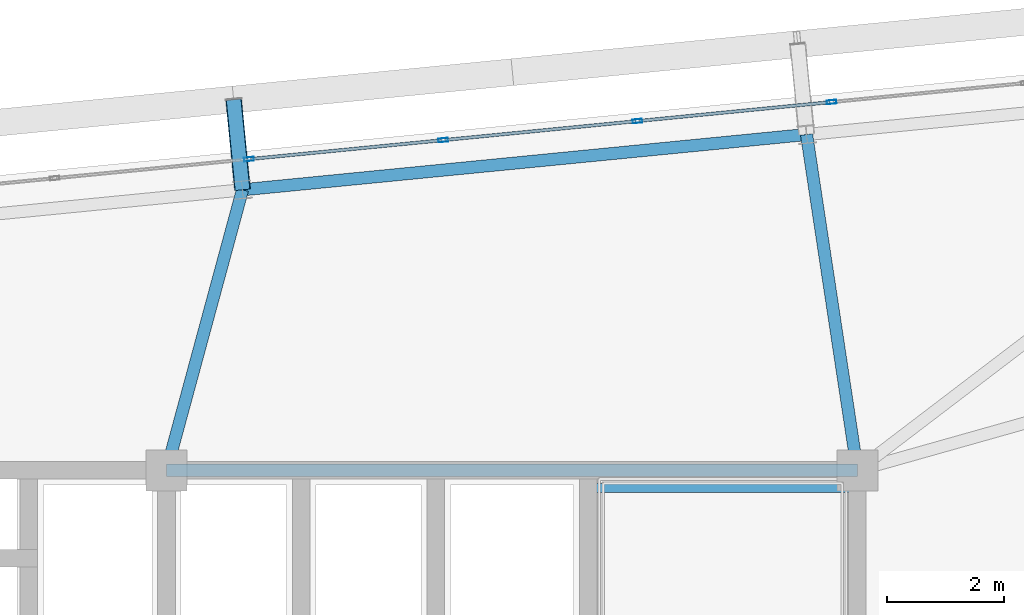
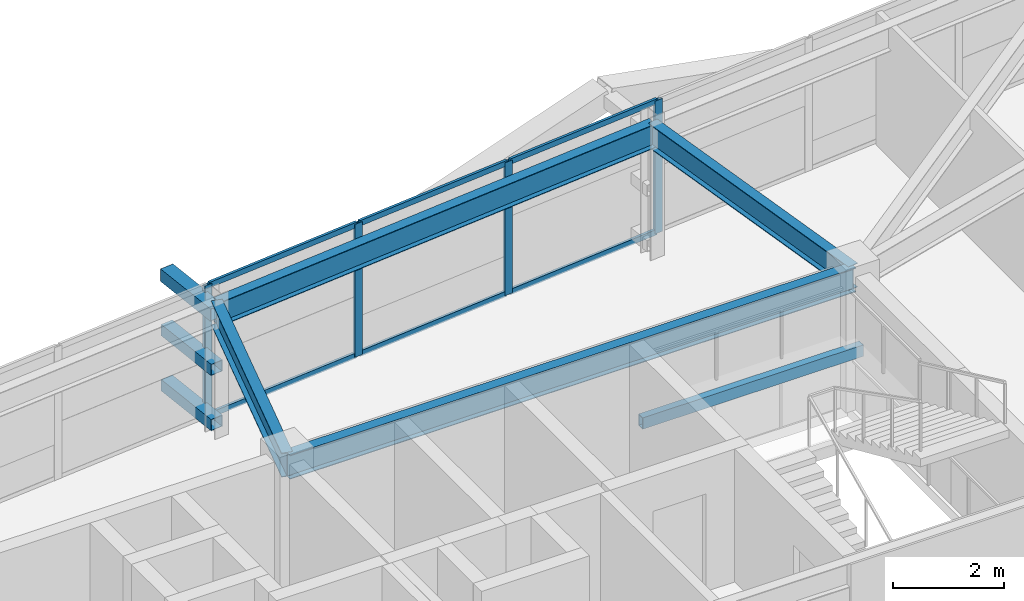
# One storey, part 31 of 52: 13 members, 5 beams, 1 element without a shape of its own.
"""IFC4 building model written with IfcOpenShell, lengths in metres."""

from ifc_helpers import new_model, si_unit, direction, frame, origin, origin_2d, place, context, subcontext, project, spatial, hollow_rectangle, i_section, extrude, source, transform, mapped, material, layer, layer_set, material_profile, profile_set, type_object, element, aggregate, save


model = new_model("IFC4")

# Units and contexts
model_context = context("Model", 3, precision=1e-05, world=origin(), true_north=direction((0.0, 1.0)))
body_context = subcontext(model_context, "Body", "Model", "MODEL_VIEW")
ifc_project = project(units=[si_unit("LENGTHUNIT", "METRE"), si_unit("AREAUNIT", "SQUARE_METRE"), si_unit("VOLUMEUNIT", "CUBIC_METRE"), si_unit("PLANEANGLEUNIT", "RADIAN"), si_unit("MASSUNIT", "GRAM", prefix="KILO")], contexts=[model_context])

# Site, building, storey
site_placement = place(None, origin())
site = spatial("IfcSite", under=ifc_project, at=site_placement, CompositionType="ELEMENT")
building_placement = place(site_placement, origin())
building = spatial("IfcBuilding", under=site, at=building_placement, Name="Taldren Reach Tower", CompositionType="ELEMENT")
storey_placement = place(building_placement, frame((0.0, 0.0, 77.699951171875)))
storey = spatial("IfcBuildingStorey", under=building, at=storey_placement, Name="L23", CompositionType="ELEMENT", Elevation=77.699951171875)

# Beam
ifc_material_1 = material(Name="Steel Gr 350 (350PLUS)", Category="steel")
ifc_material_profile_1 = material_profile(ifc_material_1, i_section(OverallWidth=0.208984375, OverallDepth=0.532958984375, WebThickness=0.01025390625, FlangeThickness=0.015625, at=origin_2d()), Name="530UB92.4")
ifc_profile_set_1 = profile_set([ifc_material_profile_1], Name="Steel Gr 350 (350PLUS)")
beam_type_1 = type_object("IfcBeamType", Name="BM-UB530A", PredefinedType="BEAM", material=ifc_profile_set_1)
shared_shape_1 = source(origin(), body_context, "Body", "SweptSolid", [
    extrude(i_section(OverallWidth=0.208984375, OverallDepth=0.532958984375, WebThickness=0.01025390625, FlangeThickness=0.015625, at=origin_2d()), origin(), (0.0, 0.0, 1.0), 11.800048828125),
])
beam_1_placement = place(storey_placement, frame((39.199951171875, 32.0, 2.66357421875), z_axis=(1.0, 0.0, 0.0), x_axis=(0.0, 1.0, 0.0)))
element("IfcBeam", 1, at=beam_1_placement, inside=storey, type_object=beam_type_1, Name="Core-spine girder L23-SP06", PredefinedType="BEAM", context=body_context, shape_type="MappedRepresentation", body=[
    mapped(shared_shape_1, transform((0.0, 0.0, 0.0), scale=1.0)),
])

# Members
ifc_material_2 = material(Name="Steel Gr 450 (C450L0)", Category="steel")
ifc_material_profile_2 = material_profile(ifc_material_2, hollow_rectangle(XDim=0.27490234375, YDim=0.27490234375, WallThickness=0.00927734375, at=origin_2d()), Name="275x275x9.3SHS")
ifc_profile_set_2 = profile_set([ifc_material_profile_2], Name="Steel Gr 450 (C450L0)")
member_type_1 = type_object("IfcMemberType", Name="MB-TIE273", PredefinedType="STRUT", material=ifc_profile_set_2)
shared_shape_2 = source(origin(), body_context, "Body", "SweptSolid", [
    extrude(hollow_rectangle(XDim=0.27490234375, YDim=0.27490234375, WallThickness=0.00927734375, at=origin_2d()), origin(), (0.0, 0.0, 1.0), 1.5498046875),
])
member_1_placement = place(storey_placement, frame((40.498291015625, 36.790771484375, 2.650146484375), z_axis=(-0.097663201064, 0.995219523099, 0.0), x_axis=(-0.995219523099, -0.097663201064, 0.0)))
element("IfcMember", 2, at=member_1_placement, inside=storey, type_object=member_type_1, Name="Exoskeleton diaphragm tie strut B2-N4 L23", PredefinedType="STRUT", context=body_context, shape_type="MappedRepresentation", body=[
    mapped(shared_shape_2, transform((0.0, 0.0, 0.0), scale=1.0)),
])
ifc_material_3 = material(Name="Steel Gr 350 (C350L0)", Category="steel")
ifc_material_profile_3 = material_profile(ifc_material_3, hollow_rectangle(XDim=0.25, YDim=0.25, WallThickness=0.010009765625, at=origin_2d()), Name="250x250x10.0SHS")
ifc_profile_set_3 = profile_set([ifc_material_profile_3], Name="Steel Gr 350 (C350L0)")
member_type_2 = type_object("IfcMemberType", Name="MB-POST250", PredefinedType="POST", material=ifc_profile_set_3)
shared_shape_3 = source(origin(), body_context, "Body", "SweptSolid", [
    extrude(hollow_rectangle(XDim=0.25, YDim=0.25, WallThickness=0.010009765625, at=origin_2d()), origin(), (0.0, 0.0, 1.0), 1.5498046875),
])
for number, where, z_axis, x_axis, name in (
    (3, (40.498291015625, 36.790771484375, 0.219970703125), (-0.097663201064, 0.995219523099, 0.0), (-0.995219523099, -0.097663201064, 0.0), "Exoskeleton base diaphragm tie strut B2-N4 L23"),
    (4, (40.498291015625, 36.790771484375, 1.43505859375), (-0.097663201064, 0.995219523099, 0.0), (-0.995219523099, -0.097663201064, 0.0), "Exoskeleton mid-tier diaphragm tie B2-N4 L23"),
):
    element("IfcMember", number, at=place(storey_placement, frame(where, z_axis=z_axis, x_axis=x_axis)), inside=storey, type_object=member_type_2, Name=name, PredefinedType="POST", context=body_context, shape_type="MappedRepresentation", body=[
        mapped(shared_shape_3, transform((0.0, 0.0, 0.0), scale=1.0)),
    ])

# Beams
ifc_material_profile_4 = material_profile(ifc_material_1, i_section(OverallWidth=0.208984375, OverallDepth=0.528076171875, WebThickness=0.009521484375, FlangeThickness=0.01318359375, at=origin_2d()), Name="530UB82.0")
ifc_profile_set_4 = profile_set([ifc_material_profile_4], Name="Steel Gr 350 (350PLUS)")
beam_type_2 = type_object("IfcBeamType", Name="SP-UB530B", PredefinedType="SPANDREL", material=ifc_profile_set_4)
shared_shape_4 = source(origin(), body_context, "Body", "SweptSolid", [
    extrude(i_section(OverallWidth=0.208984375, OverallDepth=0.528076171875, WebThickness=0.009521484375, FlangeThickness=0.01318359375, at=origin_2d()), origin(), (0.0, 0.0, 1.0), 9.679931640625),
])
beam_2_placement = place(storey_placement, frame((50.132080078125, 37.7353515625, 2.666015625), z_axis=(-0.995227612658, -0.097580730699, 0.0), x_axis=(0.097580730699, -0.995227612658, 0.0)))
element("IfcBeam", 5, at=beam_2_placement, inside=storey, type_object=beam_type_2, Name="Perimeter spandrel B2 N5-N4 L23", PredefinedType="SPANDREL", context=body_context, shape_type="MappedRepresentation", body=[
    mapped(shared_shape_4, transform((0.0, 0.0, 0.0), scale=1.0)),
])
shared_shape_5 = source(origin(), body_context, "Body", "SweptSolid", [
    extrude(i_section(OverallWidth=0.208984375, OverallDepth=0.532958984375, WebThickness=0.01025390625, FlangeThickness=0.015625, at=origin_2d()), origin(), (0.0, 0.0, 1.0), 5.800537109375),
])
beam_3_placement = place(storey_placement, frame((51.0, 32.0, 2.66357421875), z_axis=(-0.149624592867, 0.988742879221, 0.0), x_axis=(-0.988742879221, -0.149624592867, 0.0)))
element("IfcBeam", 6, at=beam_3_placement, inside=storey, type_object=beam_type_1, Name="Primary floor girder B2-N5 L23", PredefinedType="BEAM", context=body_context, shape_type="MappedRepresentation", body=[
    mapped(shared_shape_5, transform((0.0, 0.0, 0.0), scale=1.0)),
])
shared_shape_6 = source(origin(), body_context, "Body", "SweptSolid", [
    extrude(i_section(OverallWidth=0.208984375, OverallDepth=0.532958984375, WebThickness=0.01025390625, FlangeThickness=0.015625, at=origin_2d()), origin(), (0.0, 0.0, 1.0), 4.963623046875),
])
beam_4_placement = place(storey_placement, frame((39.199951171875, 32.0, 2.66357421875), z_axis=(0.261572995851, 0.965183696423, 0.0), x_axis=(-0.965183696423, 0.261572995851, 0.0)))
element("IfcBeam", 7, at=beam_4_placement, inside=storey, type_object=beam_type_1, Name="Primary floor girder B2-N4 L23", PredefinedType="BEAM", context=body_context, shape_type="MappedRepresentation", body=[
    mapped(shared_shape_6, transform((0.0, 0.0, 0.0), scale=1.0)),
])

# Curtain wall, members
ifc_material_4 = material(Name="Aluminium and Low-E Glass Unitised System", Category="aluminium")
ifc_layer = layer(ifc_material_4, 0.159912109375)
ifc_layer_set = layer_set([ifc_layer], Name="Aluminium and Low-E Glass Unitised System")
curtain_wall_type = type_object("IfcCurtainWallType", Name="CW-SYS-3", PredefinedType="NOTDEFINED", material=ifc_layer_set)
curtain_wall_placement = place(storey_placement, origin())
curtain_wall = element("IfcCurtainWall", 8, at=curtain_wall_placement, inside=storey, type_object=curtain_wall_type, Name="Unitised curtain wall CW-L23-N", PredefinedType="NOTDEFINED")
ifc_material_5 = material(Name="Anodised Aluminium 6063-T6", Category="aluminium")
ifc_material_profile_5 = material_profile(ifc_material_5, hollow_rectangle(XDim=0.06494140625, YDim=0.1650390625, WallThickness=0.00390625, at=origin_2d()), Name="ALU-165x65x4RHS")
ifc_profile_set_5 = profile_set([ifc_material_profile_5], Name="Anodised Aluminium 6063-T6")
member_type_3 = type_object("IfcMemberType", Name="CW-MUL-165", PredefinedType="MULLION", material=ifc_profile_set_5)
shared_shape_7 = source(origin(), body_context, "Body", "SweptSolid", [
    extrude(hollow_rectangle(XDim=0.06494140625, YDim=0.1650390625, WallThickness=0.00390625, at=origin_2d()), origin(), (0.0, 0.0, 1.0), 2.929931640625),
])
member_2_placement = place(storey_placement, frame((50.56005859375, 38.289794921875, 0.0), z_axis=(0.0, 0.0, 1.0), x_axis=(0.097582999046, -0.995227390247, 0.0)))
member_2 = element("IfcMember", 9, at=member_2_placement, type_object=member_type_3, Name="CW-3 mullion 4", PredefinedType="MULLION", context=body_context, shape_type="MappedRepresentation", body=[
    mapped(shared_shape_7, transform((0.0, 0.0, 0.0), scale=1.0)),
])
member_3_placement = place(storey_placement, frame((47.242431640625, 37.96435546875, 0.0), z_axis=(0.0, 0.0, 1.0), x_axis=(0.097582999046, -0.995227390247, 0.0)))
member_3 = element("IfcMember", 10, at=member_3_placement, type_object=member_type_3, Name="CW-3 mullion 5", PredefinedType="MULLION", context=body_context, shape_type="MappedRepresentation", body=[
    mapped(shared_shape_7, transform((0.0, 0.0, 0.0), scale=1.0)),
])
member_4_placement = place(storey_placement, frame((43.925048828125, 37.63916015625, 0.0), z_axis=(0.0, 0.0, 1.0), x_axis=(0.097582999046, -0.995227390247, 0.0)))
member_4 = element("IfcMember", 11, at=member_4_placement, type_object=member_type_3, Name="CW-3 mullion 6", PredefinedType="MULLION", context=body_context, shape_type="MappedRepresentation", body=[
    mapped(shared_shape_7, transform((0.0, 0.0, 0.0), scale=1.0)),
])
member_5_placement = place(storey_placement, frame((40.607666015625, 37.31396484375, 0.0), z_axis=(0.0, 0.0, 1.0), x_axis=(0.097582999046, -0.995227390247, 0.0)))
member_5 = element("IfcMember", 12, at=member_5_placement, type_object=member_type_3, Name="CW-3 mullion 7", PredefinedType="MULLION", context=body_context, shape_type="MappedRepresentation", body=[
    mapped(shared_shape_7, transform((0.0, 0.0, 0.0), scale=1.0)),
])
ifc_material_profile_6 = material_profile(ifc_material_5, hollow_rectangle(XDim=0.054931640625, YDim=0.1201171875, WallThickness=0.0029296875, at=origin_2d()), Name="ALU-120x55x3RHS")
ifc_profile_set_6 = profile_set([ifc_material_profile_6], Name="Anodised Aluminium 6063-T6")
member_type_4 = type_object("IfcMemberType", Name="CW-TRN-135", PredefinedType="USERDEFINED", material=ifc_profile_set_6)
shared_shape_8 = source(origin(), body_context, "Body", "SweptSolid", [
    extrude(hollow_rectangle(XDim=0.054931640625, YDim=0.1201171875, WallThickness=0.0029296875, at=origin_2d()), origin(), (0.0, 0.0, 1.0), 3.268310546875),
])
member_6_placement = place(storey_placement, frame((50.527587890625, 38.28662109375, 0.027587890625), z_axis=(-0.995222549564, -0.097632355496, 0.0), x_axis=(0.097632355496, -0.995222549564, 0.0)))
member_6 = element("IfcMember", 13, at=member_6_placement, type_object=member_type_4, Name="CW-3 transom 4.1", ObjectType="TRANSOM", PredefinedType="USERDEFINED", context=body_context, shape_type="MappedRepresentation", body=[
    mapped(shared_shape_8, transform((0.0, 0.0, 0.0), scale=1.0)),
])
member_7_placement = place(storey_placement, frame((50.527587890625, 38.28662109375, 2.902587890625), z_axis=(-0.995222549564, -0.097632355496, 0.0), x_axis=(0.097632355496, -0.995222549564, 0.0)))
member_7 = element("IfcMember", 14, at=member_7_placement, type_object=member_type_4, Name="CW-3 transom 4.2", ObjectType="TRANSOM", PredefinedType="USERDEFINED", context=body_context, shape_type="MappedRepresentation", body=[
    mapped(shared_shape_8, transform((0.0, 0.0, 0.0), scale=1.0)),
])
member_8_placement = place(storey_placement, frame((47.210205078125, 37.961181640625, 0.027587890625), z_axis=(-0.99522980512, -0.097558367146, 0.0), x_axis=(0.097558367146, -0.99522980512, 0.0)))
member_8 = element("IfcMember", 15, at=member_8_placement, type_object=member_type_4, Name="CW-3 transom 5.1", ObjectType="TRANSOM", PredefinedType="USERDEFINED", context=body_context, shape_type="MappedRepresentation", body=[
    mapped(shared_shape_8, transform((0.0, 0.0, 0.0), scale=1.0)),
])
member_9_placement = place(storey_placement, frame((47.210205078125, 37.961181640625, 2.902587890625), z_axis=(-0.99522980512, -0.097558367146, 0.0), x_axis=(0.097558367146, -0.99522980512, 0.0)))
member_9 = element("IfcMember", 16, at=member_9_placement, type_object=member_type_4, Name="CW-3 transom 5.2", ObjectType="TRANSOM", PredefinedType="USERDEFINED", context=body_context, shape_type="MappedRepresentation", body=[
    mapped(shared_shape_8, transform((0.0, 0.0, 0.0), scale=1.0)),
])
member_10_placement = place(storey_placement, frame((43.892822265625, 37.635986328125, 0.027587890625), z_axis=(-0.99522980512, -0.097558367146, 0.0), x_axis=(0.097558367146, -0.99522980512, 0.0)))
member_10 = element("IfcMember", 17, at=member_10_placement, type_object=member_type_4, Name="CW-3 transom 6.1", ObjectType="TRANSOM", PredefinedType="USERDEFINED", context=body_context, shape_type="MappedRepresentation", body=[
    mapped(shared_shape_8, transform((0.0, 0.0, 0.0), scale=1.0)),
])
member_11_placement = place(storey_placement, frame((43.892822265625, 37.635986328125, 2.902587890625), z_axis=(-0.99522980512, -0.097558367146, 0.0), x_axis=(0.097558367146, -0.99522980512, 0.0)))
member_11 = element("IfcMember", 18, at=member_11_placement, type_object=member_type_4, Name="CW-3 transom 6.2", ObjectType="TRANSOM", PredefinedType="USERDEFINED", context=body_context, shape_type="MappedRepresentation", body=[
    mapped(shared_shape_8, transform((0.0, 0.0, 0.0), scale=1.0)),
])
aggregate(curtain_wall, [member_2, member_3, member_4, member_5, member_6, member_7, member_8, member_9, member_10, member_11])

# Beam
ifc_material_profile_7 = material_profile(ifc_material_3, hollow_rectangle(XDim=0.14990234375, YDim=0.25, WallThickness=0.009033203125, at=origin_2d()), Name="250x150x9.0RHS")
ifc_profile_set_7 = profile_set([ifc_material_profile_7], Name="Steel Gr 350 (C350L0)")
beam_type_3 = type_object("IfcBeamType", Name="LN-RHS250", PredefinedType="LINTEL", material=ifc_profile_set_7)
shared_shape_9 = source(origin(), body_context, "Body", "SweptSolid", [
    extrude(hollow_rectangle(XDim=0.14990234375, YDim=0.25, WallThickness=0.009033203125, at=origin_2d()), origin(), (0.0, 0.0, 1.0), 4.60009765625),
])
beam_5_placement = place(storey_placement, frame((46.39990234375, 31.699951171875, 1.27001953125), z_axis=(1.0, 0.0, 0.0), x_axis=(0.0, 1.0, 0.0)))
element("IfcBeam", 19, at=beam_5_placement, inside=storey, type_object=beam_type_3, Name="Stair half-landing support beam ST2-L23-2", PredefinedType="LINTEL", context=body_context, shape_type="MappedRepresentation", body=[
    mapped(shared_shape_9, transform((0.0, 0.0, 0.0), scale=1.0)),
])

save(model, "model.ifc")
